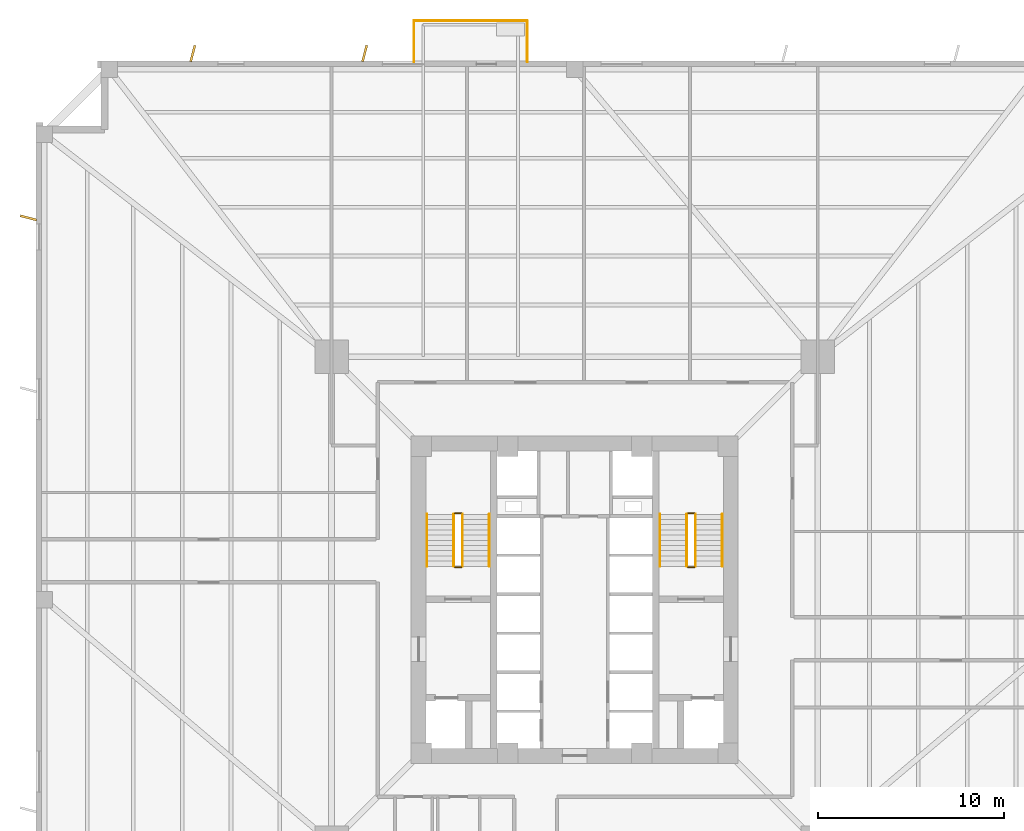
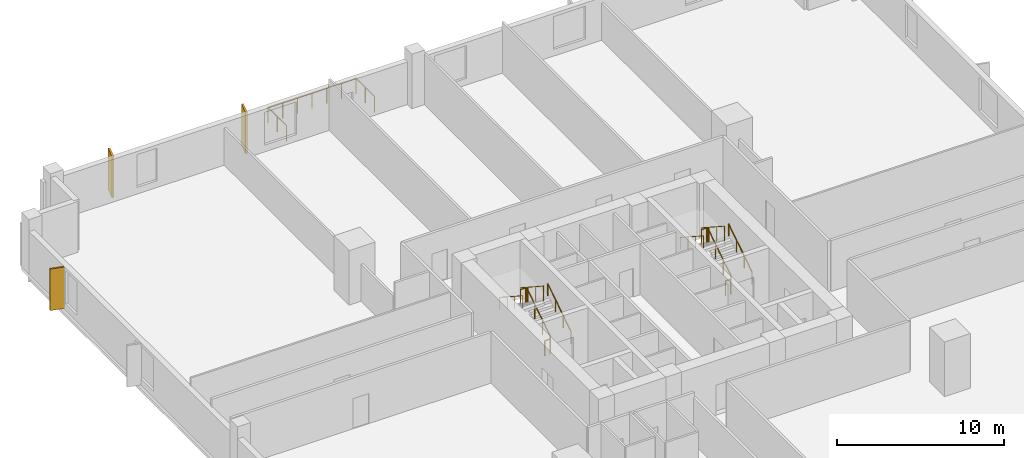
# One storey, part 7 of 8: 15 railings, 3 coverings.
"""IFC4 building model written with IfcOpenShell, lengths in metres."""

import ifcopenshell
import ifcopenshell.guid

model = None  # the IFC model being written
_history = None  # IfcOwnerHistory: only IFC2X3 demands one
_inside = {}  # id of a spatial element -> (the spatial element, [elements in it])
_under = {}  # id of a project, library or spatial element -> (it, [spatial elements below it])
_declared = {}  # id of a project -> (the project, [libraries it declares])
_typed = {}  # id of a type object -> (the type object, [elements of that type])
_made_of = {}  # id of a material, layer set ... -> (it, [elements and type objects made of it])


def new_model(schema):
    """Start an empty IFC model of exactly this schema.

    Asked for "IFC4X3", IfcOpenShell would pick the latest addendum, in which some entities
    have other attributes; the version numbers below select the first issue.
    IFC2X3 requires an IfcOwnerHistory on every rooted entity: one is made here for all.
    """
    global model, _history
    if schema == "IFC4X3":
        model = ifcopenshell.file(schema_version=(4, 3, 0, 0))
    else:
        model = ifcopenshell.file(schema=schema)
    _inside.clear()
    _under.clear()
    _declared.clear()
    _typed.clear()
    _made_of.clear()
    _history = None
    if model.schema == "IFC2X3":
        org = make("IfcOrganization", Name="unknown")
        user = make(
            "IfcPersonAndOrganization",
            ThePerson=make("IfcPerson", FamilyName="unknown"),
            TheOrganization=org,
        )
        app = make(
            "IfcApplication",
            ApplicationDeveloper=org,
            Version="unknown",
            ApplicationFullName="unknown",
            ApplicationIdentifier="unknown",
        )
        _history = make(
            "IfcOwnerHistory",
            OwningUser=user,
            OwningApplication=app,
            ChangeAction="ADDED",
            CreationDate=0,
        )
    return model


def make(cls, **values):
    """One entity of the class cls with the attributes given. An attribute that is None is left unset."""
    return model.create_entity(
        cls, **{name: value for name, value in values.items() if value is not None}
    )


def rooted(cls, **values):
    """An entity with a GlobalId (a new one), such as an element, a storey or a relation."""
    return make(cls, GlobalId=ifcopenshell.guid.new(), OwnerHistory=_history, **values)


def si_unit(unit_type, name, prefix=None):
    """IfcSIUnit, for example si_unit("LENGTHUNIT", "METRE", prefix="MILLI")."""
    return make("IfcSIUnit", UnitType=unit_type, Prefix=prefix, Name=name)


def assignment(units):
    """IfcUnitAssignment: the units of a project."""
    return None if units is None else make("IfcUnitAssignment", Units=units)


def point(xyz):
    """IfcCartesianPoint."""
    return None if xyz is None else make("IfcCartesianPoint", Coordinates=xyz)


def direction(xyz):
    """IfcDirection."""
    return None if xyz is None else make("IfcDirection", DirectionRatios=xyz)


def frame(location, z_axis=None, x_axis=None):
    """IfcAxis2Placement3D, a coordinate frame: its origin and axes. An axis left out is left unset."""
    return make(
        "IfcAxis2Placement3D",
        Location=point(location),
        Axis=direction(z_axis),
        RefDirection=direction(x_axis),
    )


def frame_2d(location, x_axis=None):
    """IfcAxis2Placement2D, a coordinate frame in the plane: its origin and x axis."""
    return make(
        "IfcAxis2Placement2D", Location=point(location), RefDirection=direction(x_axis)
    )


def origin():
    """The frame at (0, 0, 0) with its axes left unset."""
    return frame((0.0, 0.0, 0.0))


def origin_2d():
    """The frame at (0, 0) in the plane with its x axis left unset."""
    return frame_2d((0.0, 0.0))


def place(relative_to, where):
    """IfcLocalPlacement: puts the frame where relative to a parent placement (None: the world)."""
    return make(
        "IfcLocalPlacement", PlacementRelTo=relative_to, RelativePlacement=where
    )


def context(
    kind, dimensions, precision=None, world=None, true_north=None, identifier=None
):
    """IfcGeometricRepresentationContext, for example the 3D "Model" context."""
    return make(
        "IfcGeometricRepresentationContext",
        ContextIdentifier=identifier,
        ContextType=kind,
        CoordinateSpaceDimension=dimensions,
        Precision=precision,
        WorldCoordinateSystem=world,
        TrueNorth=true_north,
    )


def subcontext(parent, identifier, kind, view, scale=None):
    """IfcGeometricRepresentationSubContext, for example "Body" below "Model"."""
    return make(
        "IfcGeometricRepresentationSubContext",
        ContextIdentifier=identifier,
        ContextType=kind,
        ParentContext=parent,
        TargetScale=scale,
        TargetView=view,
    )


def project(units=None, contexts=None):
    """IfcProject with its units and contexts."""
    return rooted(
        "IfcProject",
        Name="project",
        RepresentationContexts=contexts,
        UnitsInContext=assignment(units),
    )


def spatial(cls, under=None, at=None, **own):
    """A site, building, storey or space (cls), placed at a placement, below another one or the project."""
    s = rooted(cls, ObjectPlacement=at, **own)
    if under is not None:
        _under.setdefault(under.id(), (under, []))[1].append(s)
    return s


def profile(cls, at=None, kind="AREA", **sizes):
    """A parametric profile (cls). Its sizes go by their IFC names, for example OverallWidth=200.0."""
    return make(cls, ProfileType=kind, Position=at, **sizes)


def rectangle(**sizes):
    """IfcRectangleProfileDef."""
    return profile("IfcRectangleProfileDef", **sizes)


def circle(**sizes):
    """IfcCircleProfileDef."""
    return profile("IfcCircleProfileDef", **sizes)


def extrude(swept, where, along, depth):
    """IfcExtrudedAreaSolid: the profile swept, set in the frame where, extruded along a direction by depth."""
    return make(
        "IfcExtrudedAreaSolid",
        SweptArea=swept,
        Position=where,
        ExtrudedDirection=direction(along),
        Depth=depth,
    )


def shape(context_of_items, identifier, shape_type, items):
    """IfcShapeRepresentation: the items that make up one representation, for example the "Body"."""
    return make(
        "IfcShapeRepresentation",
        ContextOfItems=context_of_items,
        RepresentationIdentifier=identifier,
        RepresentationType=shape_type,
        Items=items,
    )


def source(mapping_origin, context_of_items, identifier, shape_type, items):
    """IfcRepresentationMap: a shape defined once, which mapped items show again and again."""
    return make(
        "IfcRepresentationMap",
        MappingOrigin=mapping_origin,
        MappedRepresentation=shape(context_of_items, identifier, shape_type, items),
    )


def transform(
    local_origin,
    x_axis=None,
    y_axis=None,
    z_axis=None,
    scale=None,
    scale2=None,
    scale3=None,
    uniform=True,
):
    """IfcCartesianTransformationOperator3D, or its non-uniform kind. x_axis, y_axis, z_axis: its Axis1, 2, 3."""
    if uniform:
        return make(
            "IfcCartesianTransformationOperator3D",
            Axis1=direction(x_axis),
            Axis2=direction(y_axis),
            LocalOrigin=point(local_origin),
            Scale=scale,
            Axis3=direction(z_axis),
        )
    return make(
        "IfcCartesianTransformationOperator3DnonUniform",
        Axis1=direction(x_axis),
        Axis2=direction(y_axis),
        LocalOrigin=point(local_origin),
        Scale=scale,
        Axis3=direction(z_axis),
        Scale2=scale2,
        Scale3=scale3,
    )


def mapped(mapping_source, mapping_target):
    """IfcMappedItem: shows the shape of a source again, moved by a transform."""
    return make(
        "IfcMappedItem", MappingSource=mapping_source, MappingTarget=mapping_target
    )


def material(Name=None, Category=None):
    """IfcMaterial."""
    return make("IfcMaterial", Name=Name, Category=Category)


def layer(
    of_material, thickness, ventilated=None, Name=None, Category=None, Priority=None
):
    """IfcMaterialLayer: one layer of a wall or slab, of a material (None: an air gap)."""
    return make(
        "IfcMaterialLayer",
        Material=of_material,
        LayerThickness=thickness,
        IsVentilated=ventilated,
        Name=Name,
        Category=Category,
        Priority=Priority,
    )


def layer_set(layers, Name=None):
    """IfcMaterialLayerSet."""
    return make("IfcMaterialLayerSet", MaterialLayers=layers, LayerSetName=Name)


def made_of(thing, what):
    """Note that an element or type object is made of a material, layer set ...; save() writes the relation."""
    if what is not None:
        _made_of.setdefault(what.id(), (what, []))[1].append(thing)
    return thing


def type_object(cls, material=None, **own):
    """A type object (cls), such as IfcWallType, which elements share."""
    return made_of(rooted(cls, **own), material)


def element(
    cls,
    number,
    at=None,
    inside=None,
    cuts=None,
    type_object=None,
    material=None,
    context=None,
    identifier="Body",
    shape_type=None,
    held_by="IfcProductDefinitionShape",
    body=None,
    shapes=None,
    **own,
):
    """One element of the class cls, such as IfcWall. Its Tag is "e" and its number.

    at: its placement. inside: the storey or other place that contains it. cuts: it is an
    opening in that element (IfcRelVoidsElement). A single representation is given by context,
    identifier, shape_type and body (its items); several are given by shapes. held_by: the class
    of the entity that holds the representations. save() writes the other relations.
    """
    e = rooted(cls, Tag="e%d" % number, ObjectPlacement=at, **own)
    if body is not None:
        shapes = [shape(context, identifier, shape_type, body)]
    if shapes is not None:
        e.Representation = make(held_by, Representations=shapes)
    if inside is not None:
        _inside.setdefault(inside.id(), (inside, []))[1].append(e)
    if cuts is not None:
        rooted(
            "IfcRelVoidsElement", RelatingBuildingElement=cuts, RelatedOpeningElement=e
        )
    if type_object is not None:
        _typed.setdefault(type_object.id(), (type_object, []))[1].append(e)
    return made_of(e, material)


def aggregate(whole, parts):
    """IfcRelAggregates: a whole, such as a stair, and the parts it consists of."""
    return rooted("IfcRelAggregates", RelatingObject=whole, RelatedObjects=parts)


def save(model, path):
    """Write the relations noted so far, then the file.

    IfcRelAggregates (storeys below a building ...), IfcRelContainedInSpatialStructure (elements
    in a storey), IfcRelDefinesByType, IfcRelAssociatesMaterial and IfcRelDeclares: one each for
    every whole, place, type object, material and project.
    """
    for whole, parts in _under.values():
        aggregate(whole, parts)
    for where, things in _inside.values():
        rooted(
            "IfcRelContainedInSpatialStructure",
            RelatedElements=things,
            RelatingStructure=where,
        )
    for kind, things in _typed.values():
        rooted("IfcRelDefinesByType", RelatedObjects=things, RelatingType=kind)
    for what, things in _made_of.values():
        rooted("IfcRelAssociatesMaterial", RelatedObjects=things, RelatingMaterial=what)
    for by, libraries in _declared.values():
        rooted("IfcRelDeclares", RelatingContext=by, RelatedDefinitions=libraries)
    model.write(path)


model = new_model("IFC4")

# Units and contexts
model_context = context("Model", 3, precision=1e-05, world=origin(), true_north=direction((0.0, 1.0)))
body_context = subcontext(model_context, "Body", "Model", "MODEL_VIEW")
ifc_project = project(units=[si_unit("LENGTHUNIT", "METRE"), si_unit("AREAUNIT", "SQUARE_METRE"), si_unit("VOLUMEUNIT", "CUBIC_METRE"), si_unit("PLANEANGLEUNIT", "RADIAN"), si_unit("MASSUNIT", "GRAM", prefix="KILO"), si_unit("THERMODYNAMICTEMPERATUREUNIT", "KELVIN")], contexts=[model_context])

# Site, building, storey
site_placement = place(None, origin())
site = spatial("IfcSite", under=ifc_project, at=site_placement, CompositionType="ELEMENT")
building_placement = place(site_placement, origin())
building = spatial("IfcBuilding", under=site, at=building_placement, Name="Kosmvard Interchange Tower", CompositionType="ELEMENT")
storey_placement = place(building_placement, frame((0.0, 0.0, 38.0)))
storey = spatial("IfcBuildingStorey", under=building, at=storey_placement, Name="L08", CompositionType="ELEMENT", Elevation=38.0)

# Railings
ifc_material_1 = material(Name="Steel S355", Category="steel")
railing_type_1 = type_object("IfcRailingType", Name="Observation & Balcony Glass-Infill Balustrade 1150", PredefinedType="BALUSTRADE", material=ifc_material_1)
shared_shape_1 = source(origin(), body_context, "Body", "SweptSolid", [
    extrude(circle(Radius=0.02392578125, at=origin_2d()), frame((0.0, 0.0, 1.1259765625), z_axis=(0.0, -1.0, 0.0), x_axis=(1.0, 0.0, 0.0)), (0.0, 0.0, 1.0), 2.199951171875),
    extrude(circle(Radius=0.02099609375, at=origin_2d()), origin(), (0.0, 0.0, 1.0), 1.101806640625),
    extrude(circle(Radius=0.02099609375, at=origin_2d()), frame((0.0, -1.10009765625, 0.0)), (0.0, 0.0, 1.0), 1.101806640625),
    extrude(circle(Radius=0.02099609375, at=origin_2d()), frame((0.0, -2.199951171875, 0.0)), (0.0, 0.0, 1.0), 1.101806640625),
])
railing_1_placement = place(storey_placement, frame((-8.64990234375, 31.14990234375, 0.0)))
element("IfcRailing", 1, at=railing_1_placement, inside=storey, type_object=railing_type_1, Name="L08 Outdoor Terrace Guard BAL-L08-NE-C", PredefinedType="BALUSTRADE", context=body_context, shape_type="MappedRepresentation", body=[
    mapped(shared_shape_1, transform((0.0, 0.0, 0.0), scale=1.0)),
])
shared_shape_2 = source(origin(), body_context, "Body", "SweptSolid", [
    extrude(circle(Radius=0.02392578125, at=origin_2d()), frame((0.0, 0.0, 1.1259765625), z_axis=(0.0, 1.0, 0.0), x_axis=(-1.0, 0.0, 0.0)), (0.0, 0.0, 1.0), 2.199951171875),
    extrude(circle(Radius=0.02099609375, at=origin_2d()), origin(), (0.0, 0.0, 1.0), 1.101806640625),
    extrude(circle(Radius=0.02099609375, at=origin_2d()), frame((0.0, 1.10009765625, 0.0)), (0.0, 0.0, 1.0), 1.101806640625),
    extrude(circle(Radius=0.02099609375, at=origin_2d()), frame((0.0, 2.199951171875, 0.0)), (0.0, 0.0, 1.0), 1.101806640625),
])
railing_2_placement = place(storey_placement, frame((-2.550048828125, 28.949951171875, 0.0)))
element("IfcRailing", 2, at=railing_2_placement, inside=storey, type_object=railing_type_1, Name="L08 Outdoor Terrace Guard BAL-L08-NE-A", PredefinedType="BALUSTRADE", context=body_context, shape_type="MappedRepresentation", body=[
    mapped(shared_shape_2, transform((0.0, 0.0, 0.0), scale=1.0)),
])

# Coverings
ifc_material_2 = material(Name="Architectural anodised aluminium", Category="aluminium")
ifc_layer = layer(ifc_material_2, 0.1201171875, Name="Architectural anodised aluminium")
ifc_layer_set = layer_set([ifc_layer], Name="Architectural anodised aluminium")
covering_type = type_object("IfcCoveringType", Name="Rotating Vertical Sun-Breaker Fin 900x120 Aluminium", PredefinedType="CLADDING", material=ifc_layer_set)
shared_shape_3 = source(origin(), body_context, "Body", "SweptSolid", [
    extrude(rectangle(XDim=0.89990234375, YDim=0.1201171875, at=origin_2d()), origin(), (0.0, 0.0, 1.0), 3.0400390625),
])
for number, where, z_axis, x_axis, name in (
    (3, (-11.3037109375, 29.39990234375, 0.0400390625), (0.0, 0.0, 1.0), (0.252913747716, 0.967488830021, 0.0), "L08 Rotating Vertical Sun-Breaker Fin 11"),
    (4, (-20.552001953125, 29.39990234375, 0.0400390625), (0.0, 0.0, 1.0), (0.252913747716, 0.967488830021, 0.0), "L08 Rotating Vertical Sun-Breaker Fin 12"),
    (5, (-29.39990234375, 20.552001953125, 0.0400390625), (0.0, 0.0, 1.0), (-0.967488830021, 0.252913747716, 0.0), "L08 Rotating Vertical Sun-Breaker Fin 13"),
):
    element("IfcCovering", number, at=place(storey_placement, frame(where, z_axis=z_axis, x_axis=x_axis)), inside=storey, type_object=covering_type, Name=name, PredefinedType="CLADDING", context=body_context, shape_type="MappedRepresentation", body=[
        mapped(shared_shape_3, transform((0.0, 0.0, 0.0), scale=1.0)),
    ])

# Railings
shared_shape_4 = source(origin(), body_context, "Body", "SweptSolid", [
    extrude(circle(Radius=0.02392578125, at=origin_2d()), frame((0.0, 0.0, 1.1259765625), z_axis=(-1.0, 0.0, 0.0), x_axis=(0.0, -1.0, 0.0)), (0.0, 0.0, 1.0), 6.099853515625),
    extrude(circle(Radius=0.02099609375, at=origin_2d()), origin(), (0.0, 0.0, 1.0), 1.101806640625),
    extrude(circle(Radius=0.02099609375, at=origin_2d()), frame((-1.0166015625, 0.0, 0.0)), (0.0, 0.0, 1.0), 1.101806640625),
    extrude(circle(Radius=0.02099609375, at=origin_2d()), frame((-2.033203125, 0.0, 0.0)), (0.0, 0.0, 1.0), 1.101806640625),
    extrude(circle(Radius=0.02099609375, at=origin_2d()), frame((-3.0498046875, 0.0, 0.0)), (0.0, 0.0, 1.0), 1.101806640625),
    extrude(circle(Radius=0.02099609375, at=origin_2d()), frame((-4.066650390625, 0.0, 0.0)), (0.0, 0.0, 1.0), 1.101806640625),
    extrude(circle(Radius=0.02099609375, at=origin_2d()), frame((-5.083251953125, 0.0, 0.0)), (0.0, 0.0, 1.0), 1.101806640625),
    extrude(circle(Radius=0.02099609375, at=origin_2d()), frame((-6.099853515625, 0.0, 0.0)), (0.0, 0.0, 1.0), 1.101806640625),
])
railing_3_placement = place(storey_placement, frame((-2.550048828125, 31.14990234375, 0.0)))
element("IfcRailing", 6, at=railing_3_placement, inside=storey, type_object=railing_type_1, Name="L08 Outdoor Terrace Guard BAL-L08-NE-B", PredefinedType="BALUSTRADE", context=body_context, shape_type="MappedRepresentation", body=[
    mapped(shared_shape_4, transform((0.0, 0.0, 0.0), scale=1.0)),
])
railing_type_2 = type_object("IfcRailingType", Name="Stair & Terrace Safety Guardrail 1100 Steel", PredefinedType="GUARDRAIL", material=ifc_material_1)
shared_shape_5 = source(origin(), body_context, "Body", "SweptSolid", [
    extrude(circle(Radius=0.02392578125, at=origin_2d()), frame((0.0, 0.0, 1.076171875), z_axis=(-1.0, 0.0, 0.0), x_axis=(0.0, -1.0, 0.0)), (0.0, 0.0, 1.0), 0.35986328125),
    extrude(circle(Radius=0.02099609375, at=origin_2d()), origin(), (0.0, 0.0, 1.0), 1.052001953125),
    extrude(circle(Radius=0.02099609375, at=origin_2d()), frame((-0.35986328125, 0.0, 0.0)), (0.0, 0.0, 1.0), 1.052001953125),
])
for number, where, name in (
    (7, (-6.090087890625, 4.64990234375, 2.0), "L08 ST-1 stair guard 2"),
    (8, (-6.090087890625, 1.75, 0.0), "L08 ST-1 stair guard 4"),
    (9, (6.449951171875, 4.64990234375, 2.0), "L08 ST-2 stair guard 2"),
    (10, (6.449951171875, 1.75, 0.0), "L08 ST-2 stair guard 4"),
):
    element("IfcRailing", number, at=place(storey_placement, frame(where)), inside=storey, type_object=railing_type_2, Name=name, PredefinedType="GUARDRAIL", context=body_context, shape_type="MappedRepresentation", body=[
        mapped(shared_shape_5, transform((0.0, 0.0, 0.0), scale=1.0)),
    ])
shared_shape_6 = source(origin(), body_context, "Body", "SweptSolid", [
    extrude(circle(Radius=0.02392578125, at=origin_2d()), frame((0.0, 0.0, 1.076171875), z_axis=(0.0, 0.838705829183, 0.544584733623), x_axis=(-1.0, 0.0, 0.0)), (0.0, 0.0, 1.0), 3.338623046875),
    extrude(circle(Radius=0.02099609375, at=origin_2d()), origin(), (0.0, 0.0, 1.0), 1.052001953125),
    extrude(circle(Radius=0.02099609375, at=origin_2d()), frame((0.0, 0.933349609375, 0.60595703125)), (0.0, 0.0, 1.0), 1.052001953125),
    extrude(circle(Radius=0.02099609375, at=origin_2d()), frame((0.0, 1.86669921875, 1.212158203125)), (0.0, 0.0, 1.0), 1.052001953125),
    extrude(circle(Radius=0.02099609375, at=origin_2d()), frame((0.0, 2.800048828125, 1.818115234375)), (0.0, 0.0, 1.0), 1.052001953125),
])
for number, where, name in (
    (11, (-6.0400390625, 1.800048828125, 0.181884765625), "L08 ST-1 stair guard 1"),
    (12, (6.5, 1.800048828125, 0.181884765625), "L08 ST-2 stair guard 1"),
):
    element("IfcRailing", number, at=place(storey_placement, frame(where)), inside=storey, type_object=railing_type_2, Name=name, PredefinedType="GUARDRAIL", context=body_context, shape_type="MappedRepresentation", body=[
        mapped(shared_shape_6, transform((0.0, 0.0, 0.0), scale=1.0)),
    ])
shared_shape_7 = source(origin(), body_context, "Body", "SweptSolid", [
    extrude(circle(Radius=0.02392578125, at=origin_2d()), frame((0.0, 0.0, 1.076171875), z_axis=(0.0, -0.838705829183, 0.544584733623), x_axis=(1.0, 0.0, 0.0)), (0.0, 0.0, 1.0), 3.338623046875),
    extrude(circle(Radius=0.02099609375, at=origin_2d()), origin(), (0.0, 0.0, 1.0), 1.052001953125),
    extrude(circle(Radius=0.02099609375, at=origin_2d()), frame((0.0, -0.933349609375, 0.60595703125)), (0.0, 0.0, 1.0), 1.052001953125),
    extrude(circle(Radius=0.02099609375, at=origin_2d()), frame((0.0, -1.86669921875, 1.212158203125)), (0.0, 0.0, 1.0), 1.052001953125),
    extrude(circle(Radius=0.02099609375, at=origin_2d()), frame((0.0, -2.800048828125, 1.818115234375)), (0.0, 0.0, 1.0), 1.052001953125),
])
for number, where, name in (
    (13, (-6.5, 4.60009765625, 2.181884765625), "L08 ST-1 stair guard 3"),
    (14, (6.0400390625, 4.60009765625, 2.181884765625), "L08 ST-2 stair guard 3"),
):
    element("IfcRailing", number, at=place(storey_placement, frame(where)), inside=storey, type_object=railing_type_2, Name=name, PredefinedType="GUARDRAIL", context=body_context, shape_type="MappedRepresentation", body=[
        mapped(shared_shape_7, transform((0.0, 0.0, 0.0), scale=1.0)),
    ])
railing_type_3 = type_object("IfcRailingType", Name="Wall-Mounted Stair Handrail 900 Steel", PredefinedType="HANDRAIL", material=ifc_material_1)
shared_shape_8 = source(origin(), body_context, "Body", "SweptSolid", [
    extrude(circle(Radius=0.02392578125, at=origin_2d()), frame((0.0, 0.0, 0.8759765625), z_axis=(0.0, 0.838705829183, 0.544584733623), x_axis=(-1.0, 0.0, 0.0)), (0.0, 0.0, 1.0), 3.338623046875),
    extrude(circle(Radius=0.02099609375, at=origin_2d()), origin(), (0.0, 0.0, 1.0), 0.851806640625),
    extrude(circle(Radius=0.02099609375, at=origin_2d()), frame((0.0, 0.933349609375, 0.60595703125)), (0.0, 0.0, 1.0), 0.851806640625),
    extrude(circle(Radius=0.02099609375, at=origin_2d()), frame((0.0, 1.86669921875, 1.212158203125)), (0.0, 0.0, 1.0), 0.851806640625),
    extrude(circle(Radius=0.02099609375, at=origin_2d()), frame((0.0, 2.800048828125, 1.818115234375)), (0.0, 0.0, 1.0), 0.851806640625),
])
for number, where, name in (
    (15, (-4.590087890625, 1.800048828125, 0.181884765625), "L08 ST-1 stair handrail 1"),
    (16, (7.949951171875, 1.800048828125, 0.181884765625), "L08 ST-2 stair handrail 1"),
):
    element("IfcRailing", number, at=place(storey_placement, frame(where)), inside=storey, type_object=railing_type_3, Name=name, PredefinedType="HANDRAIL", context=body_context, shape_type="MappedRepresentation", body=[
        mapped(shared_shape_8, transform((0.0, 0.0, 0.0), scale=1.0)),
    ])
shared_shape_9 = source(origin(), body_context, "Body", "SweptSolid", [
    extrude(circle(Radius=0.02392578125, at=origin_2d()), frame((0.0, 0.0, 0.8759765625), z_axis=(0.0, -0.838705829183, 0.544584733623), x_axis=(1.0, 0.0, 0.0)), (0.0, 0.0, 1.0), 3.338623046875),
    extrude(circle(Radius=0.02099609375, at=origin_2d()), origin(), (0.0, 0.0, 1.0), 0.851806640625),
    extrude(circle(Radius=0.02099609375, at=origin_2d()), frame((0.0, -0.933349609375, 0.60595703125)), (0.0, 0.0, 1.0), 0.851806640625),
    extrude(circle(Radius=0.02099609375, at=origin_2d()), frame((0.0, -1.86669921875, 1.212158203125)), (0.0, 0.0, 1.0), 0.851806640625),
    extrude(circle(Radius=0.02099609375, at=origin_2d()), frame((0.0, -2.800048828125, 1.818115234375)), (0.0, 0.0, 1.0), 0.851806640625),
])
for number, where, name in (
    (17, (-7.949951171875, 4.60009765625, 2.181884765625), "L08 ST-1 stair handrail 2"),
    (18, (4.590087890625, 4.60009765625, 2.181884765625), "L08 ST-2 stair handrail 2"),
):
    element("IfcRailing", number, at=place(storey_placement, frame(where)), inside=storey, type_object=railing_type_3, Name=name, PredefinedType="HANDRAIL", context=body_context, shape_type="MappedRepresentation", body=[
        mapped(shared_shape_9, transform((0.0, 0.0, 0.0), scale=1.0)),
    ])

save(model, "model.ifc")
